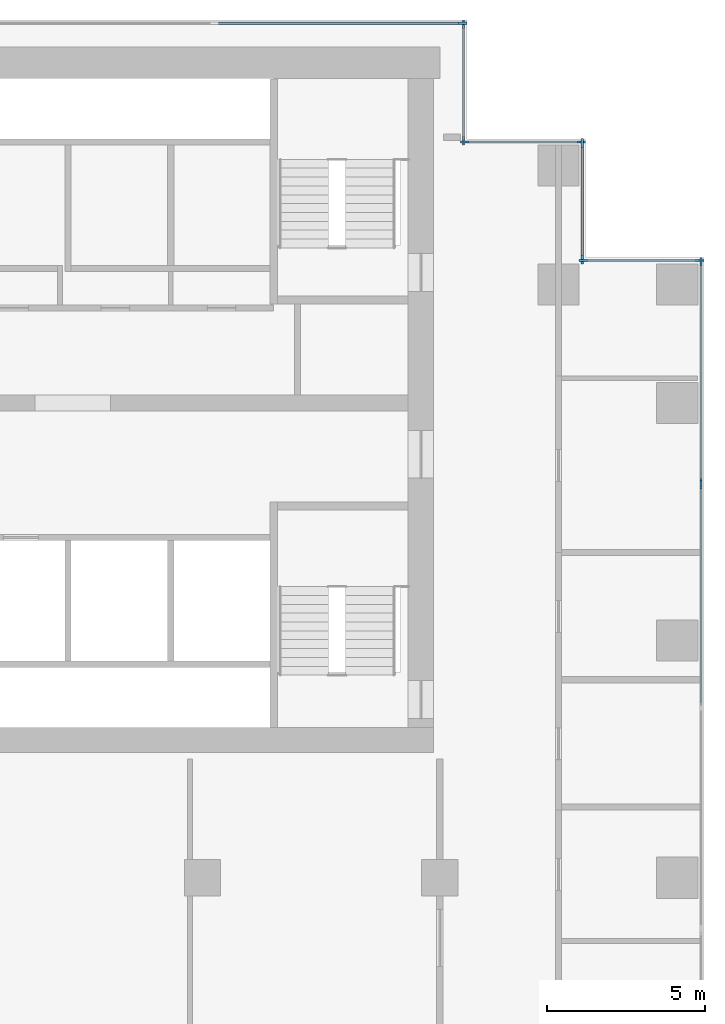
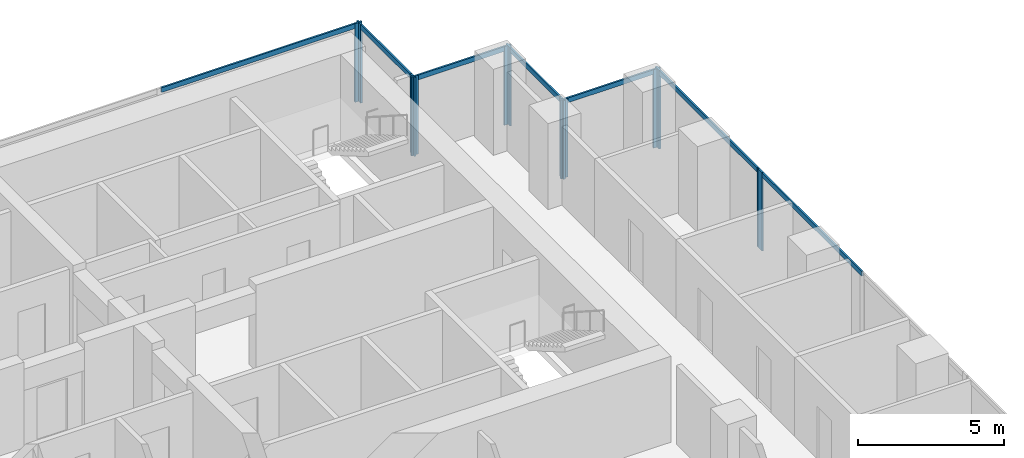
# One storey, part 5 of 10: 19 members, 7 elements without a shape of their own.
"""IFC4 building model written with IfcOpenShell, lengths in metres."""

from ifc_helpers import new_model, si_unit, direction, frame, origin, origin_2d, place, context, subcontext, project, spatial, rectangle, extrude, material, material_profile, profile_set, type_object, element, aggregate, save


model = new_model("IFC4")

# Units and contexts
model_context = context("Model", 3, precision=1e-05, world=origin(), true_north=direction((0.0, 1.0)))
body_context = subcontext(model_context, "Body", "Model", "MODEL_VIEW")
ifc_project = project(units=[si_unit("LENGTHUNIT", "METRE"), si_unit("AREAUNIT", "SQUARE_METRE"), si_unit("VOLUMEUNIT", "CUBIC_METRE"), si_unit("PLANEANGLEUNIT", "RADIAN"), si_unit("MASSUNIT", "GRAM", prefix="KILO")], contexts=[model_context])

# Site, building, storey
site_placement = place(None, origin())
site = spatial("IfcSite", under=ifc_project, at=site_placement, CompositionType="ELEMENT")
building_placement = place(site_placement, origin())
building = spatial("IfcBuilding", under=site, at=building_placement, Name="Pilkhan Gate Tower", CompositionType="ELEMENT")
storey_placement = place(building_placement, frame((0.0, 0.0, 139.60009765625)))
storey = spatial("IfcBuildingStorey", under=building, at=storey_placement, Name="L35", CompositionType="ELEMENT", Elevation=139.60009765625)

# Curtain wall, member
ifc_material_1 = material(Name="Pale anodised aluminium, clear low-iron double glazing", Category="aluminium")
curtain_wall_type = type_object("IfcCurtainWallType", Name="Office unitised curtain wall CW-O1", PredefinedType="USERDEFINED", material=ifc_material_1)
curtain_wall_1_placement = place(storey_placement, origin())
curtain_wall_1 = element("IfcCurtainWall", 1, at=curtain_wall_1_placement, inside=storey, type_object=curtain_wall_type, Name="Office unitised curtain wall CW-O1 L35 E", ObjectType="UNITISED CURTAIN WALL", PredefinedType="USERDEFINED")
ifc_material_2 = material(Name="Pale anodised aluminium", Category="aluminium")
ifc_material_profile_1 = material_profile(ifc_material_2, rectangle(XDim=0.070068359375, YDim=0.27490234375, at=origin_2d()), Name="Mullion 275x70")
ifc_profile_set_1 = profile_set([ifc_material_profile_1], Name="Pale anodised aluminium")
member_type_1 = type_object("IfcMemberType", Name="Mullion CW-O1 275x70", PredefinedType="MULLION", material=ifc_profile_set_1)
member_1_placement = place(storey_placement, frame((98.25, 79.9150390625, 0.0), z_axis=(0.0, 0.0, 1.0), x_axis=(-1.0, 0.0, 0.0)))
member_1 = element("IfcMember", 2, at=member_1_placement, type_object=member_type_1, Name="CW-O1 mullion 3", PredefinedType="MULLION", context=body_context, shape_type="SweptSolid", body=[
    extrude(rectangle(XDim=0.070068359375, YDim=0.27490234375, at=origin_2d()), origin(), (0.0, 0.0, 1.0), 3.2998046875),
])

# Curtain wall, members
curtain_wall_2_placement = place(storey_placement, origin())
curtain_wall_2 = element("IfcCurtainWall", 3, at=curtain_wall_2_placement, inside=storey, type_object=curtain_wall_type, Name="Office unitised curtain wall CW-O1 L35 E", ObjectType="UNITISED CURTAIN WALL", PredefinedType="USERDEFINED")
member_2_placement = place(storey_placement, frame((98.25, 79.985107421875, 0.0), z_axis=(0.0, 0.0, 1.0), x_axis=(-1.0, 0.0, 0.0)))
member_2 = element("IfcMember", 4, at=member_2_placement, type_object=member_type_1, Name="CW-O1 mullion 1", PredefinedType="MULLION", context=body_context, shape_type="SweptSolid", body=[
    extrude(rectangle(XDim=0.070068359375, YDim=0.27490234375, at=origin_2d()), origin(), (0.0, 0.0, 1.0), 3.2998046875),
])
member_3_placement = place(storey_placement, frame((98.25, 86.965087890625, 0.0), z_axis=(0.0, 0.0, 1.0), x_axis=(-1.0, 0.0, 0.0)))
member_3 = element("IfcMember", 5, at=member_3_placement, type_object=member_type_1, Name="CW-O1 mullion 2", PredefinedType="MULLION", context=body_context, shape_type="SweptSolid", body=[
    extrude(rectangle(XDim=0.070068359375, YDim=0.27490234375, at=origin_2d()), origin(), (0.0, 0.0, 1.0), 3.2998046875),
])

curtain_wall_3_placement = place(storey_placement, origin())
curtain_wall_3 = element("IfcCurtainWall", 6, at=curtain_wall_3_placement, inside=storey, type_object=curtain_wall_type, Name="Office unitised curtain wall CW-O1 L35 N", ObjectType="UNITISED CURTAIN WALL", PredefinedType="USERDEFINED")
member_4_placement = place(storey_placement, frame((94.534912109375, 87.0, 0.0), z_axis=(0.0, 0.0, 1.0), x_axis=(0.0, 1.0, 0.0)))
member_4 = element("IfcMember", 7, at=member_4_placement, type_object=member_type_1, Name="CW-O1 mullion 1", PredefinedType="MULLION", context=body_context, shape_type="SweptSolid", body=[
    extrude(rectangle(XDim=0.070068359375, YDim=0.27490234375, at=origin_2d()), origin(), (0.0, 0.0, 1.0), 3.2998046875),
])
member_5_placement = place(storey_placement, frame((98.215087890625, 87.0, 0.0), z_axis=(0.0, 0.0, 1.0), x_axis=(0.0, 1.0, 0.0)))
member_5 = element("IfcMember", 8, at=member_5_placement, type_object=member_type_1, Name="CW-O1 mullion 2", PredefinedType="MULLION", context=body_context, shape_type="SweptSolid", body=[
    extrude(rectangle(XDim=0.070068359375, YDim=0.27490234375, at=origin_2d()), origin(), (0.0, 0.0, 1.0), 3.2998046875),
])

curtain_wall_4_placement = place(storey_placement, origin())
curtain_wall_4 = element("IfcCurtainWall", 9, at=curtain_wall_4_placement, inside=storey, type_object=curtain_wall_type, Name="Office unitised curtain wall CW-O1 L35 E", ObjectType="UNITISED CURTAIN WALL", PredefinedType="USERDEFINED")
member_6_placement = place(storey_placement, frame((94.5, 87.034912109375, 0.0), z_axis=(0.0, 0.0, 1.0), x_axis=(-1.0, 0.0, 0.0)))
member_6 = element("IfcMember", 10, at=member_6_placement, type_object=member_type_1, Name="CW-O1 mullion 1", PredefinedType="MULLION", context=body_context, shape_type="SweptSolid", body=[
    extrude(rectangle(XDim=0.070068359375, YDim=0.27490234375, at=origin_2d()), origin(), (0.0, 0.0, 1.0), 3.2998046875),
])
member_7_placement = place(storey_placement, frame((94.5, 90.715087890625, 0.0), z_axis=(0.0, 0.0, 1.0), x_axis=(-1.0, 0.0, 0.0)))
member_7 = element("IfcMember", 11, at=member_7_placement, type_object=member_type_1, Name="CW-O1 mullion 2", PredefinedType="MULLION", context=body_context, shape_type="SweptSolid", body=[
    extrude(rectangle(XDim=0.070068359375, YDim=0.27490234375, at=origin_2d()), origin(), (0.0, 0.0, 1.0), 3.2998046875),
])

curtain_wall_5_placement = place(storey_placement, origin())
curtain_wall_5 = element("IfcCurtainWall", 12, at=curtain_wall_5_placement, inside=storey, type_object=curtain_wall_type, Name="Office unitised curtain wall CW-O1 L35 N", ObjectType="UNITISED CURTAIN WALL", PredefinedType="USERDEFINED")
member_8_placement = place(storey_placement, frame((90.784912109375, 90.75, 0.0), z_axis=(0.0, 0.0, 1.0), x_axis=(0.0, 1.0, 0.0)))
member_8 = element("IfcMember", 13, at=member_8_placement, type_object=member_type_1, Name="CW-O1 mullion 1", PredefinedType="MULLION", context=body_context, shape_type="SweptSolid", body=[
    extrude(rectangle(XDim=0.070068359375, YDim=0.27490234375, at=origin_2d()), origin(), (0.0, 0.0, 1.0), 3.2998046875),
])
member_9_placement = place(storey_placement, frame((94.465087890625, 90.75, 0.0), z_axis=(0.0, 0.0, 1.0), x_axis=(0.0, 1.0, 0.0)))
member_9 = element("IfcMember", 14, at=member_9_placement, type_object=member_type_1, Name="CW-O1 mullion 2", PredefinedType="MULLION", context=body_context, shape_type="SweptSolid", body=[
    extrude(rectangle(XDim=0.070068359375, YDim=0.27490234375, at=origin_2d()), origin(), (0.0, 0.0, 1.0), 3.2998046875),
])

curtain_wall_6_placement = place(storey_placement, origin())
curtain_wall_6 = element("IfcCurtainWall", 15, at=curtain_wall_6_placement, inside=storey, type_object=curtain_wall_type, Name="Office unitised curtain wall CW-O1 L35 E", ObjectType="UNITISED CURTAIN WALL", PredefinedType="USERDEFINED")
member_10_placement = place(storey_placement, frame((90.75, 90.784912109375, 0.0), z_axis=(0.0, 0.0, 1.0), x_axis=(-1.0, 0.0, 0.0)))
member_10 = element("IfcMember", 16, at=member_10_placement, type_object=member_type_1, Name="CW-O1 mullion 1", PredefinedType="MULLION", context=body_context, shape_type="SweptSolid", body=[
    extrude(rectangle(XDim=0.070068359375, YDim=0.27490234375, at=origin_2d()), origin(), (0.0, 0.0, 1.0), 3.2998046875),
])
member_11_placement = place(storey_placement, frame((90.75, 94.465087890625, 0.0), z_axis=(0.0, 0.0, 1.0), x_axis=(-1.0, 0.0, 0.0)))
member_11 = element("IfcMember", 17, at=member_11_placement, type_object=member_type_1, Name="CW-O1 mullion 2", PredefinedType="MULLION", context=body_context, shape_type="SweptSolid", body=[
    extrude(rectangle(XDim=0.070068359375, YDim=0.27490234375, at=origin_2d()), origin(), (0.0, 0.0, 1.0), 3.2998046875),
])

# Curtain wall, member
curtain_wall_7_placement = place(storey_placement, origin())
curtain_wall_7 = element("IfcCurtainWall", 18, at=curtain_wall_7_placement, inside=storey, type_object=curtain_wall_type, Name="Office unitised curtain wall CW-O1 L35 N", ObjectType="UNITISED CURTAIN WALL", PredefinedType="USERDEFINED")
member_12_placement = place(storey_placement, frame((90.715087890625, 94.5, 0.0), z_axis=(0.0, 0.0, 1.0), x_axis=(0.0, 1.0, 0.0)))
member_12 = element("IfcMember", 19, at=member_12_placement, type_object=member_type_1, Name="CW-O1 mullion 3", PredefinedType="MULLION", context=body_context, shape_type="SweptSolid", body=[
    extrude(rectangle(XDim=0.070068359375, YDim=0.27490234375, at=origin_2d()), origin(), (0.0, 0.0, 1.0), 3.2998046875),
])

# Member
ifc_material_profile_2 = material_profile(ifc_material_2, rectangle(XDim=0.070068359375, YDim=0.199951171875, at=origin_2d()), Name="Transom 200x70")
ifc_profile_set_2 = profile_set([ifc_material_profile_2], Name="Pale anodised aluminium")
member_type_2 = type_object("IfcMemberType", Name="Transom CW-O1 200x70", PredefinedType="USERDEFINED", material=ifc_profile_set_2)
member_13_placement = place(storey_placement, frame((98.25, 72.93505859375, 3.199951171875), z_axis=(0.0, 1.0, 0.0), x_axis=(-1.0, 0.0, 0.0)))
member_13 = element("IfcMember", 20, at=member_13_placement, type_object=member_type_2, Name="CW-O1 transom 2", ObjectType="TRANSOM", PredefinedType="USERDEFINED", context=body_context, shape_type="SweptSolid", body=[
    extrude(rectangle(XDim=0.070068359375, YDim=0.199951171875, at=origin_2d()), origin(), (0.0, 0.0, 1.0), 6.94482421875),
])

aggregate(curtain_wall_1, [member_1, member_13])

member_14_placement = place(storey_placement, frame((98.25, 80.02001953125, 3.199951171875), z_axis=(0.0, 1.0, 0.0), x_axis=(-1.0, 0.0, 0.0)))
member_14 = element("IfcMember", 21, at=member_14_placement, type_object=member_type_2, Name="CW-O1 transom 1", ObjectType="TRANSOM", PredefinedType="USERDEFINED", context=body_context, shape_type="SweptSolid", body=[
    extrude(rectangle(XDim=0.070068359375, YDim=0.199951171875, at=origin_2d()), origin(), (0.0, 0.0, 1.0), 6.909912109375),
])

aggregate(curtain_wall_2, [member_2, member_3, member_14])

member_15_placement = place(storey_placement, frame((94.570068359375, 87.0, 3.199951171875), z_axis=(1.0, 0.0, 0.0), x_axis=(0.0, 1.0, 0.0)))
member_15 = element("IfcMember", 22, at=member_15_placement, type_object=member_type_2, Name="CW-O1 transom 1", ObjectType="TRANSOM", PredefinedType="USERDEFINED", context=body_context, shape_type="SweptSolid", body=[
    extrude(rectangle(XDim=0.070068359375, YDim=0.199951171875, at=origin_2d()), origin(), (0.0, 0.0, 1.0), 3.60986328125),
])

aggregate(curtain_wall_3, [member_4, member_5, member_15])

member_16_placement = place(storey_placement, frame((94.5, 87.070068359375, 3.199951171875), z_axis=(0.0, 1.0, 0.0), x_axis=(-1.0, 0.0, 0.0)))
member_16 = element("IfcMember", 23, at=member_16_placement, type_object=member_type_2, Name="CW-O1 transom 1", ObjectType="TRANSOM", PredefinedType="USERDEFINED", context=body_context, shape_type="SweptSolid", body=[
    extrude(rectangle(XDim=0.070068359375, YDim=0.199951171875, at=origin_2d()), origin(), (0.0, 0.0, 1.0), 3.60986328125),
])

aggregate(curtain_wall_4, [member_6, member_7, member_16])

member_17_placement = place(storey_placement, frame((90.820068359375, 90.75, 3.199951171875), z_axis=(1.0, 0.0, 0.0), x_axis=(0.0, 1.0, 0.0)))
member_17 = element("IfcMember", 24, at=member_17_placement, type_object=member_type_2, Name="CW-O1 transom 1", ObjectType="TRANSOM", PredefinedType="USERDEFINED", context=body_context, shape_type="SweptSolid", body=[
    extrude(rectangle(XDim=0.070068359375, YDim=0.199951171875, at=origin_2d()), origin(), (0.0, 0.0, 1.0), 3.60986328125),
])

aggregate(curtain_wall_5, [member_8, member_9, member_17])

member_18_placement = place(storey_placement, frame((90.75, 90.820068359375, 3.199951171875), z_axis=(0.0, 1.0, 0.0), x_axis=(-1.0, 0.0, 0.0)))
member_18 = element("IfcMember", 25, at=member_18_placement, type_object=member_type_2, Name="CW-O1 transom 1", ObjectType="TRANSOM", PredefinedType="USERDEFINED", context=body_context, shape_type="SweptSolid", body=[
    extrude(rectangle(XDim=0.070068359375, YDim=0.199951171875, at=origin_2d()), origin(), (0.0, 0.0, 1.0), 3.60986328125),
])

aggregate(curtain_wall_6, [member_10, member_11, member_18])

member_19_placement = place(storey_placement, frame((82.909912109375, 94.5, 3.199951171875), z_axis=(1.0, 0.0, 0.0), x_axis=(0.0, 1.0, 0.0)))
member_19 = element("IfcMember", 26, at=member_19_placement, type_object=member_type_2, Name="CW-O1 transom 2", ObjectType="TRANSOM", PredefinedType="USERDEFINED", context=body_context, shape_type="SweptSolid", body=[
    extrude(rectangle(XDim=0.070068359375, YDim=0.199951171875, at=origin_2d()), origin(), (0.0, 0.0, 1.0), 7.77001953125),
])

aggregate(curtain_wall_7, [member_12, member_19])

save(model, "model.ifc")
